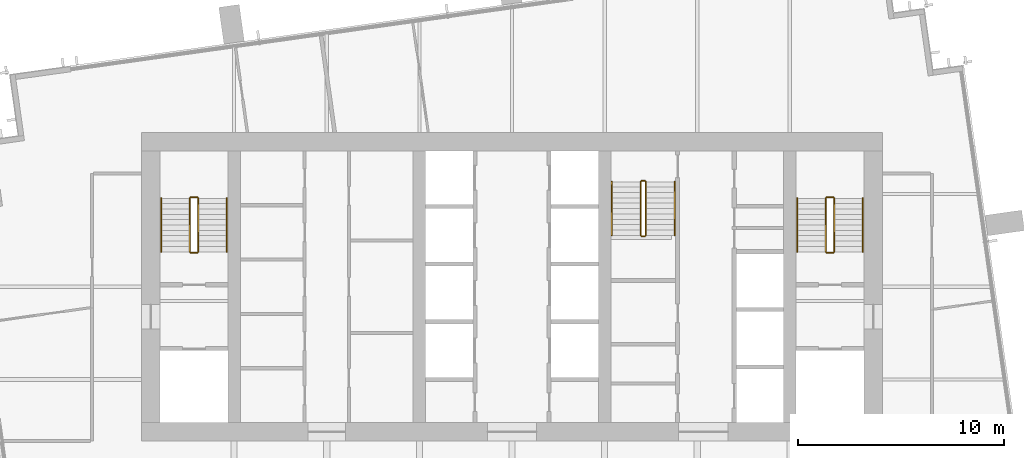
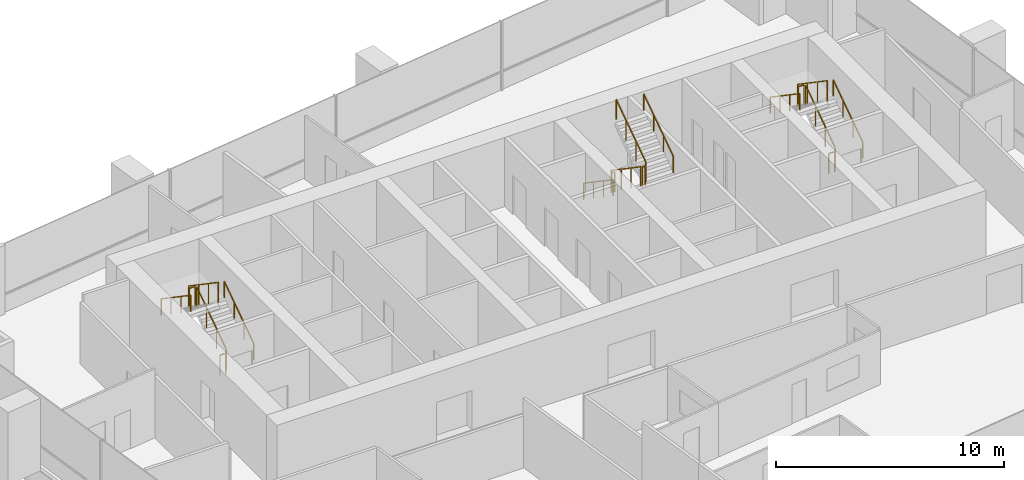
# One storey, part 12 of 12: 18 railings.
"""IFC4 building model written with IfcOpenShell, lengths in metres."""

from ifc_helpers import new_model, si_unit, direction, frame, origin, origin_2d, place, context, subcontext, project, spatial, rectangle, extrude, material, type_object, element, save


model = new_model("IFC4")

# Units and contexts
model_context = context("Model", 3, precision=1e-05, world=origin(), true_north=direction((0.0, 1.0)))
body_context = subcontext(model_context, "Body", "Model", "MODEL_VIEW")
ifc_project = project(units=[si_unit("LENGTHUNIT", "METRE"), si_unit("AREAUNIT", "SQUARE_METRE"), si_unit("VOLUMEUNIT", "CUBIC_METRE"), si_unit("PLANEANGLEUNIT", "RADIAN"), si_unit("MASSUNIT", "GRAM", prefix="KILO")], contexts=[model_context])

# Site, building, storey
site_placement = place(None, origin())
site = spatial("IfcSite", under=ifc_project, at=site_placement, CompositionType="ELEMENT")
building_placement = place(site_placement, origin())
building = spatial("IfcBuilding", under=site, at=building_placement, Name="Rattan Terrace Tower", CompositionType="ELEMENT")
storey_placement = place(building_placement, frame((0.0, 0.0, 259.0)))
storey = spatial("IfcBuildingStorey", under=building, at=storey_placement, Name="L59", CompositionType="ELEMENT", Elevation=259.0)

# Railings
ifc_material_1 = material(Name="Powder-coated steel guard", Category="steel")
railing_type_1 = type_object("IfcRailingType", Name="Core stair guard", PredefinedType="GUARDRAIL", material=ifc_material_1)
railing_1_placement = place(storey_placement, frame((-15.25, 1.699951171875, 0.17724609375)))
element("IfcRailing", 1, at=railing_1_placement, inside=storey, type_object=railing_type_1, Name="L59 S1 stair guard 1", PredefinedType="GUARDRAIL", context=body_context, shape_type="SweptSolid", body=[
    extrude(rectangle(XDim=0.048095703125, YDim=0.048095703125, at=origin_2d()), frame((0.0, 0.0, 1.076171875), z_axis=(0.0, 0.826240473404, 0.563317565952), x_axis=(-1.0, 0.0, 0.0)), (0.0, 0.0, 1.0), 3.14697265625),
    extrude(rectangle(XDim=0.0419921875, YDim=0.0419921875, at=origin_2d()), origin(), (0.0, 0.0, 1.0), 1.052001953125),
    extrude(rectangle(XDim=0.0419921875, YDim=0.0419921875, at=origin_2d()), frame((0.0, 0.86669921875, 0.5908203125)), (0.0, 0.0, 1.0), 1.052001953125),
    extrude(rectangle(XDim=0.0419921875, YDim=0.0419921875, at=origin_2d()), frame((0.0, 1.7333984375, 1.181884765625)), (0.0, 0.0, 1.0), 1.052001953125),
    extrude(rectangle(XDim=0.0419921875, YDim=0.0419921875, at=origin_2d()), frame((0.0, 2.60009765625, 1.772705078125)), (0.0, 0.0, 1.0), 1.052001953125),
])
railing_2_placement = place(storey_placement, frame((-15.300048828125, 4.35009765625, 1.949951171875)))
element("IfcRailing", 2, at=railing_2_placement, inside=storey, type_object=railing_type_1, Name="L59 S1 stair guard 2", PredefinedType="GUARDRAIL", context=body_context, shape_type="SweptSolid", body=[
    extrude(rectangle(XDim=0.048095703125, YDim=0.048095703125, at=origin_2d()), frame((0.0, 0.0, 1.076171875), z_axis=(-1.0, 0.0, 0.0), x_axis=(0.0, -1.0, 0.0)), (0.0, 0.0, 1.0), 0.300048828125),
    extrude(rectangle(XDim=0.0419921875, YDim=0.0419921875, at=origin_2d()), origin(), (0.0, 0.0, 1.0), 1.052001953125),
    extrude(rectangle(XDim=0.0419921875, YDim=0.0419921875, at=origin_2d()), frame((-0.300048828125, 0.0, 0.0)), (0.0, 0.0, 1.0), 1.052001953125),
])
railing_3_placement = place(storey_placement, frame((-15.64990234375, 4.300048828125, 2.127197265625)))
element("IfcRailing", 3, at=railing_3_placement, inside=storey, type_object=railing_type_1, Name="L59 S1 stair guard 3", PredefinedType="GUARDRAIL", context=body_context, shape_type="SweptSolid", body=[
    extrude(rectangle(XDim=0.048095703125, YDim=0.048095703125, at=origin_2d()), frame((0.0, 0.0, 1.076171875), z_axis=(0.0, -0.826240473404, 0.563317565952), x_axis=(1.0, 0.0, 0.0)), (0.0, 0.0, 1.0), 3.14697265625),
    extrude(rectangle(XDim=0.0419921875, YDim=0.0419921875, at=origin_2d()), origin(), (0.0, 0.0, 1.0), 1.052001953125),
    extrude(rectangle(XDim=0.0419921875, YDim=0.0419921875, at=origin_2d()), frame((0.0, -0.86669921875, 0.5908203125)), (0.0, 0.0, 1.0), 1.052001953125),
    extrude(rectangle(XDim=0.0419921875, YDim=0.0419921875, at=origin_2d()), frame((0.0, -1.7333984375, 1.181884765625)), (0.0, 0.0, 1.0), 1.052001953125),
    extrude(rectangle(XDim=0.0419921875, YDim=0.0419921875, at=origin_2d()), frame((0.0, -2.60009765625, 1.772705078125)), (0.0, 0.0, 1.0), 1.052001953125),
])
railing_4_placement = place(storey_placement, frame((-15.300048828125, 1.64990234375, 0.0)))
element("IfcRailing", 4, at=railing_4_placement, inside=storey, type_object=railing_type_1, Name="L59 S1 stair guard 4", PredefinedType="GUARDRAIL", context=body_context, shape_type="SweptSolid", body=[
    extrude(rectangle(XDim=0.048095703125, YDim=0.048095703125, at=origin_2d()), frame((0.0, 0.0, 1.076171875), z_axis=(-1.0, 0.0, 0.0), x_axis=(0.0, -1.0, 0.0)), (0.0, 0.0, 1.0), 0.300048828125),
    extrude(rectangle(XDim=0.0419921875, YDim=0.0419921875, at=origin_2d()), origin(), (0.0, 0.0, 1.0), 1.052001953125),
    extrude(rectangle(XDim=0.0419921875, YDim=0.0419921875, at=origin_2d()), frame((-0.300048828125, 0.0, 0.0)), (0.0, 0.0, 1.0), 1.052001953125),
])
railing_5_placement = place(storey_placement, frame((15.64990234375, 1.699951171875, 0.17724609375)))
element("IfcRailing", 5, at=railing_5_placement, inside=storey, type_object=railing_type_1, Name="L59 S2 stair guard 1", PredefinedType="GUARDRAIL", context=body_context, shape_type="SweptSolid", body=[
    extrude(rectangle(XDim=0.048095703125, YDim=0.048095703125, at=origin_2d()), frame((0.0, 0.0, 1.076171875), z_axis=(0.0, 0.826240473404, 0.563317565952), x_axis=(-1.0, 0.0, 0.0)), (0.0, 0.0, 1.0), 3.14697265625),
    extrude(rectangle(XDim=0.0419921875, YDim=0.0419921875, at=origin_2d()), origin(), (0.0, 0.0, 1.0), 1.052001953125),
    extrude(rectangle(XDim=0.0419921875, YDim=0.0419921875, at=origin_2d()), frame((0.0, 0.86669921875, 0.5908203125)), (0.0, 0.0, 1.0), 1.052001953125),
    extrude(rectangle(XDim=0.0419921875, YDim=0.0419921875, at=origin_2d()), frame((0.0, 1.7333984375, 1.181884765625)), (0.0, 0.0, 1.0), 1.052001953125),
    extrude(rectangle(XDim=0.0419921875, YDim=0.0419921875, at=origin_2d()), frame((0.0, 2.60009765625, 1.772705078125)), (0.0, 0.0, 1.0), 1.052001953125),
])
railing_6_placement = place(storey_placement, frame((15.60009765625, 4.35009765625, 1.949951171875)))
element("IfcRailing", 6, at=railing_6_placement, inside=storey, type_object=railing_type_1, Name="L59 S2 stair guard 2", PredefinedType="GUARDRAIL", context=body_context, shape_type="SweptSolid", body=[
    extrude(rectangle(XDim=0.048095703125, YDim=0.048095703125, at=origin_2d()), frame((0.0, 0.0, 1.076171875), z_axis=(-1.0, 0.0, 0.0), x_axis=(0.0, -1.0, 0.0)), (0.0, 0.0, 1.0), 0.300048828125),
    extrude(rectangle(XDim=0.0419921875, YDim=0.0419921875, at=origin_2d()), origin(), (0.0, 0.0, 1.0), 1.052001953125),
    extrude(rectangle(XDim=0.0419921875, YDim=0.0419921875, at=origin_2d()), frame((-0.300048828125, 0.0, 0.0)), (0.0, 0.0, 1.0), 1.052001953125),
])
railing_7_placement = place(storey_placement, frame((15.25, 4.300048828125, 2.127197265625)))
element("IfcRailing", 7, at=railing_7_placement, inside=storey, type_object=railing_type_1, Name="L59 S2 stair guard 3", PredefinedType="GUARDRAIL", context=body_context, shape_type="SweptSolid", body=[
    extrude(rectangle(XDim=0.048095703125, YDim=0.048095703125, at=origin_2d()), frame((0.0, 0.0, 1.076171875), z_axis=(0.0, -0.826240473404, 0.563317565952), x_axis=(1.0, 0.0, 0.0)), (0.0, 0.0, 1.0), 3.14697265625),
    extrude(rectangle(XDim=0.0419921875, YDim=0.0419921875, at=origin_2d()), origin(), (0.0, 0.0, 1.0), 1.052001953125),
    extrude(rectangle(XDim=0.0419921875, YDim=0.0419921875, at=origin_2d()), frame((0.0, -0.86669921875, 0.5908203125)), (0.0, 0.0, 1.0), 1.052001953125),
    extrude(rectangle(XDim=0.0419921875, YDim=0.0419921875, at=origin_2d()), frame((0.0, -1.7333984375, 1.181884765625)), (0.0, 0.0, 1.0), 1.052001953125),
    extrude(rectangle(XDim=0.0419921875, YDim=0.0419921875, at=origin_2d()), frame((0.0, -2.60009765625, 1.772705078125)), (0.0, 0.0, 1.0), 1.052001953125),
])
railing_8_placement = place(storey_placement, frame((15.60009765625, 1.64990234375, 0.0)))
element("IfcRailing", 8, at=railing_8_placement, inside=storey, type_object=railing_type_1, Name="L59 S2 stair guard 4", PredefinedType="GUARDRAIL", context=body_context, shape_type="SweptSolid", body=[
    extrude(rectangle(XDim=0.048095703125, YDim=0.048095703125, at=origin_2d()), frame((0.0, 0.0, 1.076171875), z_axis=(-1.0, 0.0, 0.0), x_axis=(0.0, -1.0, 0.0)), (0.0, 0.0, 1.0), 0.300048828125),
    extrude(rectangle(XDim=0.0419921875, YDim=0.0419921875, at=origin_2d()), origin(), (0.0, 0.0, 1.0), 1.052001953125),
    extrude(rectangle(XDim=0.0419921875, YDim=0.0419921875, at=origin_2d()), frame((-0.300048828125, 0.0, 0.0)), (0.0, 0.0, 1.0), 1.052001953125),
])
railing_9_placement = place(storey_placement, frame((6.25, 5.10009765625, 0.17724609375)))
element("IfcRailing", 9, at=railing_9_placement, inside=storey, type_object=railing_type_1, Name="L59 S3 stair guard 1", PredefinedType="GUARDRAIL", context=body_context, shape_type="SweptSolid", body=[
    extrude(rectangle(XDim=0.048095703125, YDim=0.048095703125, at=origin_2d()), frame((0.0, 0.0, 1.076171875), z_axis=(0.0, -0.826240473404, 0.563317565952), x_axis=(1.0, 0.0, 0.0)), (0.0, 0.0, 1.0), 3.14697265625),
    extrude(rectangle(XDim=0.0419921875, YDim=0.0419921875, at=origin_2d()), origin(), (0.0, 0.0, 1.0), 1.052001953125),
    extrude(rectangle(XDim=0.0419921875, YDim=0.0419921875, at=origin_2d()), frame((0.0, -0.86669921875, 0.5908203125)), (0.0, 0.0, 1.0), 1.052001953125),
    extrude(rectangle(XDim=0.0419921875, YDim=0.0419921875, at=origin_2d()), frame((0.0, -1.7333984375, 1.181884765625)), (0.0, 0.0, 1.0), 1.052001953125),
    extrude(rectangle(XDim=0.0419921875, YDim=0.0419921875, at=origin_2d()), frame((0.0, -2.60009765625, 1.772705078125)), (0.0, 0.0, 1.0), 1.052001953125),
])
railing_10_placement = place(storey_placement, frame((6.300048828125, 2.449951171875, 1.949951171875)))
element("IfcRailing", 10, at=railing_10_placement, inside=storey, type_object=railing_type_1, Name="L59 S3 stair guard 2", PredefinedType="GUARDRAIL", context=body_context, shape_type="SweptSolid", body=[
    extrude(rectangle(XDim=0.048095703125, YDim=0.048095703125, at=origin_2d()), frame((0.0, 0.0, 1.076171875), z_axis=(1.0, 0.0, 0.0), x_axis=(0.0, 1.0, 0.0)), (0.0, 0.0, 1.0), 0.14990234375),
    extrude(rectangle(XDim=0.0419921875, YDim=0.0419921875, at=origin_2d()), origin(), (0.0, 0.0, 1.0), 1.052001953125),
    extrude(rectangle(XDim=0.0419921875, YDim=0.0419921875, at=origin_2d()), frame((0.14990234375, 0.0, 0.0)), (0.0, 0.0, 1.0), 1.052001953125),
])
railing_11_placement = place(storey_placement, frame((6.5, 2.5, 2.127197265625)))
element("IfcRailing", 11, at=railing_11_placement, inside=storey, type_object=railing_type_1, Name="L59 S3 stair guard 3", PredefinedType="GUARDRAIL", context=body_context, shape_type="SweptSolid", body=[
    extrude(rectangle(XDim=0.048095703125, YDim=0.048095703125, at=origin_2d()), frame((0.0, 0.0, 1.076171875), z_axis=(0.0, 0.826240473404, 0.563317565952), x_axis=(-1.0, 0.0, 0.0)), (0.0, 0.0, 1.0), 3.14697265625),
    extrude(rectangle(XDim=0.0419921875, YDim=0.0419921875, at=origin_2d()), origin(), (0.0, 0.0, 1.0), 1.052001953125),
    extrude(rectangle(XDim=0.0419921875, YDim=0.0419921875, at=origin_2d()), frame((0.0, 0.86669921875, 0.5908203125)), (0.0, 0.0, 1.0), 1.052001953125),
    extrude(rectangle(XDim=0.0419921875, YDim=0.0419921875, at=origin_2d()), frame((0.0, 1.7333984375, 1.181884765625)), (0.0, 0.0, 1.0), 1.052001953125),
    extrude(rectangle(XDim=0.0419921875, YDim=0.0419921875, at=origin_2d()), frame((0.0, 2.60009765625, 1.772705078125)), (0.0, 0.0, 1.0), 1.052001953125),
])
railing_12_placement = place(storey_placement, frame((6.300048828125, 5.14990234375, 0.0)))
element("IfcRailing", 12, at=railing_12_placement, inside=storey, type_object=railing_type_1, Name="L59 S3 stair guard 4", PredefinedType="GUARDRAIL", context=body_context, shape_type="SweptSolid", body=[
    extrude(rectangle(XDim=0.048095703125, YDim=0.048095703125, at=origin_2d()), frame((0.0, 0.0, 1.076171875), z_axis=(1.0, 0.0, 0.0), x_axis=(0.0, 1.0, 0.0)), (0.0, 0.0, 1.0), 0.14990234375),
    extrude(rectangle(XDim=0.0419921875, YDim=0.0419921875, at=origin_2d()), origin(), (0.0, 0.0, 1.0), 1.052001953125),
    extrude(rectangle(XDim=0.0419921875, YDim=0.0419921875, at=origin_2d()), frame((0.14990234375, 0.0, 0.0)), (0.0, 0.0, 1.0), 1.052001953125),
])
ifc_material_2 = material(Name="Powder-coated steel handrail", Category="steel")
railing_type_2 = type_object("IfcRailingType", Name="Core stair handrail", PredefinedType="HANDRAIL", material=ifc_material_2)
railing_13_placement = place(storey_placement, frame((-13.85009765625, 1.699951171875, 0.17724609375)))
element("IfcRailing", 13, at=railing_13_placement, inside=storey, type_object=railing_type_2, Name="L59 S1 stair handrail 1", PredefinedType="HANDRAIL", context=body_context, shape_type="SweptSolid", body=[
    extrude(rectangle(XDim=0.048095703125, YDim=0.048095703125, at=origin_2d()), frame((0.0, 0.0, 0.8759765625), z_axis=(0.0, 0.826240473404, 0.563317565952), x_axis=(-1.0, 0.0, 0.0)), (0.0, 0.0, 1.0), 3.14697265625),
    extrude(rectangle(XDim=0.0419921875, YDim=0.0419921875, at=origin_2d()), origin(), (0.0, 0.0, 1.0), 0.851806640625),
    extrude(rectangle(XDim=0.0419921875, YDim=0.0419921875, at=origin_2d()), frame((0.0, 0.86669921875, 0.5908203125)), (0.0, 0.0, 1.0), 0.851806640625),
    extrude(rectangle(XDim=0.0419921875, YDim=0.0419921875, at=origin_2d()), frame((0.0, 1.7333984375, 1.181884765625)), (0.0, 0.0, 1.0), 0.851806640625),
    extrude(rectangle(XDim=0.0419921875, YDim=0.0419921875, at=origin_2d()), frame((0.0, 2.60009765625, 1.772705078125)), (0.0, 0.0, 1.0), 0.851806640625),
])
railing_14_placement = place(storey_placement, frame((-17.050048828125, 4.300048828125, 2.127197265625)))
element("IfcRailing", 14, at=railing_14_placement, inside=storey, type_object=railing_type_2, Name="L59 S1 stair handrail 2", PredefinedType="HANDRAIL", context=body_context, shape_type="SweptSolid", body=[
    extrude(rectangle(XDim=0.048095703125, YDim=0.048095703125, at=origin_2d()), frame((0.0, 0.0, 0.8759765625), z_axis=(0.0, -0.826240473404, 0.563317565952), x_axis=(1.0, 0.0, 0.0)), (0.0, 0.0, 1.0), 3.14697265625),
    extrude(rectangle(XDim=0.0419921875, YDim=0.0419921875, at=origin_2d()), origin(), (0.0, 0.0, 1.0), 0.851806640625),
    extrude(rectangle(XDim=0.0419921875, YDim=0.0419921875, at=origin_2d()), frame((0.0, -0.86669921875, 0.5908203125)), (0.0, 0.0, 1.0), 0.851806640625),
    extrude(rectangle(XDim=0.0419921875, YDim=0.0419921875, at=origin_2d()), frame((0.0, -1.7333984375, 1.181884765625)), (0.0, 0.0, 1.0), 0.851806640625),
    extrude(rectangle(XDim=0.0419921875, YDim=0.0419921875, at=origin_2d()), frame((0.0, -2.60009765625, 1.772705078125)), (0.0, 0.0, 1.0), 0.851806640625),
])
railing_15_placement = place(storey_placement, frame((17.050048828125, 1.699951171875, 0.17724609375)))
element("IfcRailing", 15, at=railing_15_placement, inside=storey, type_object=railing_type_2, Name="L59 S2 stair handrail 1", PredefinedType="HANDRAIL", context=body_context, shape_type="SweptSolid", body=[
    extrude(rectangle(XDim=0.048095703125, YDim=0.048095703125, at=origin_2d()), frame((0.0, 0.0, 0.8759765625), z_axis=(0.0, 0.826240473404, 0.563317565952), x_axis=(-1.0, 0.0, 0.0)), (0.0, 0.0, 1.0), 3.14697265625),
    extrude(rectangle(XDim=0.0419921875, YDim=0.0419921875, at=origin_2d()), origin(), (0.0, 0.0, 1.0), 0.851806640625),
    extrude(rectangle(XDim=0.0419921875, YDim=0.0419921875, at=origin_2d()), frame((0.0, 0.86669921875, 0.5908203125)), (0.0, 0.0, 1.0), 0.851806640625),
    extrude(rectangle(XDim=0.0419921875, YDim=0.0419921875, at=origin_2d()), frame((0.0, 1.7333984375, 1.181884765625)), (0.0, 0.0, 1.0), 0.851806640625),
    extrude(rectangle(XDim=0.0419921875, YDim=0.0419921875, at=origin_2d()), frame((0.0, 2.60009765625, 1.772705078125)), (0.0, 0.0, 1.0), 0.851806640625),
])
for number, where, name in (
    (16, (13.85009765625, 4.300048828125, 2.127197265625), "L59 S2 stair handrail 2"),
    (17, (4.85009765625, 5.10009765625, 0.17724609375), "L59 S3 stair handrail 1"),
):
    element("IfcRailing", number, at=place(storey_placement, frame(where)), inside=storey, type_object=railing_type_2, Name=name, PredefinedType="HANDRAIL", context=body_context, shape_type="SweptSolid", body=[
        extrude(rectangle(XDim=0.048095703125, YDim=0.048095703125, at=origin_2d()), frame((0.0, 0.0, 0.8759765625), z_axis=(0.0, -0.826240473404, 0.563317565952), x_axis=(1.0, 0.0, 0.0)), (0.0, 0.0, 1.0), 3.14697265625),
        extrude(rectangle(XDim=0.0419921875, YDim=0.0419921875, at=origin_2d()), origin(), (0.0, 0.0, 1.0), 0.851806640625),
        extrude(rectangle(XDim=0.0419921875, YDim=0.0419921875, at=origin_2d()), frame((0.0, -0.86669921875, 0.5908203125)), (0.0, 0.0, 1.0), 0.851806640625),
        extrude(rectangle(XDim=0.0419921875, YDim=0.0419921875, at=origin_2d()), frame((0.0, -1.7333984375, 1.181884765625)), (0.0, 0.0, 1.0), 0.851806640625),
        extrude(rectangle(XDim=0.0419921875, YDim=0.0419921875, at=origin_2d()), frame((0.0, -2.60009765625, 1.772705078125)), (0.0, 0.0, 1.0), 0.851806640625),
    ])
railing_16_placement = place(storey_placement, frame((7.89990234375, 2.5, 2.127197265625)))
element("IfcRailing", 18, at=railing_16_placement, inside=storey, type_object=railing_type_2, Name="L59 S3 stair handrail 2", PredefinedType="HANDRAIL", context=body_context, shape_type="SweptSolid", body=[
    extrude(rectangle(XDim=0.048095703125, YDim=0.048095703125, at=origin_2d()), frame((0.0, 0.0, 0.8759765625), z_axis=(0.0, 0.826240473404, 0.563317565952), x_axis=(-1.0, 0.0, 0.0)), (0.0, 0.0, 1.0), 3.14697265625),
    extrude(rectangle(XDim=0.0419921875, YDim=0.0419921875, at=origin_2d()), origin(), (0.0, 0.0, 1.0), 0.851806640625),
    extrude(rectangle(XDim=0.0419921875, YDim=0.0419921875, at=origin_2d()), frame((0.0, 0.86669921875, 0.5908203125)), (0.0, 0.0, 1.0), 0.851806640625),
    extrude(rectangle(XDim=0.0419921875, YDim=0.0419921875, at=origin_2d()), frame((0.0, 1.7333984375, 1.181884765625)), (0.0, 0.0, 1.0), 0.851806640625),
    extrude(rectangle(XDim=0.0419921875, YDim=0.0419921875, at=origin_2d()), frame((0.0, 2.60009765625, 1.772705078125)), (0.0, 0.0, 1.0), 0.851806640625),
])

save(model, "model.ifc")
